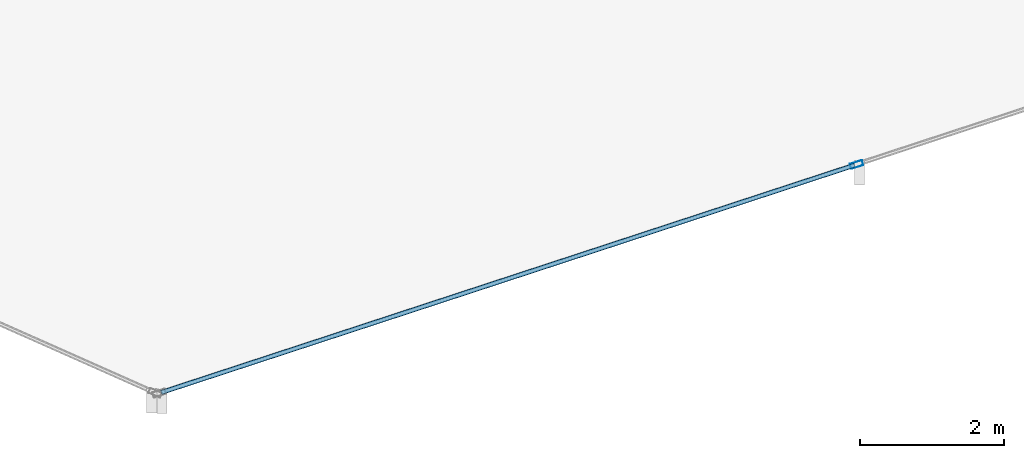
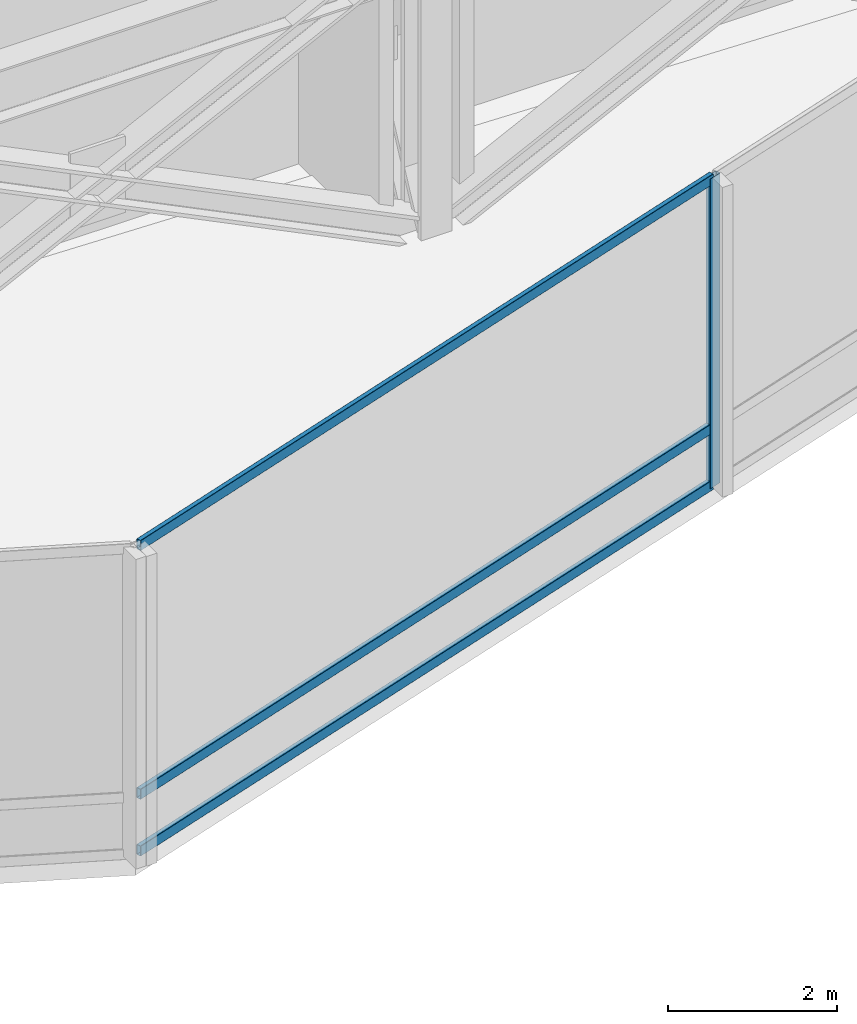
# One storey, part 10 of 42: 4 members, 1 element without a shape of its own.
"""IFC4 building model written with IfcOpenShell, lengths in metres."""

from ifc_helpers import new_model, si_unit, direction, frame, origin, origin_2d, place, context, subcontext, project, spatial, hollow_rectangle, extrude, material, layer, layer_set, material_profile, profile_set, type_object, element, aggregate, save


model = new_model("IFC4")

# Units and contexts
model_context = context("Model", 3, precision=1e-05, world=origin(), true_north=direction((0.0, 1.0)))
body_context = subcontext(model_context, "Body", "Model", "MODEL_VIEW")
ifc_project = project(units=[si_unit("LENGTHUNIT", "METRE"), si_unit("AREAUNIT", "SQUARE_METRE"), si_unit("VOLUMEUNIT", "CUBIC_METRE"), si_unit("PLANEANGLEUNIT", "RADIAN"), si_unit("MASSUNIT", "GRAM", prefix="KILO")], contexts=[model_context])

# Site, building, storey
site_placement = place(None, origin())
site = spatial("IfcSite", under=ifc_project, at=site_placement, CompositionType="ELEMENT")
building_placement = place(site_placement, origin())
building = spatial("IfcBuilding", under=site, at=building_placement, Name="Solvaryn Broadcast Tower", CompositionType="ELEMENT")
storey_placement = place(building_placement, frame((0.0, 0.0, 100.199951171875)))
storey = spatial("IfcBuildingStorey", under=building, at=storey_placement, Name="L24", CompositionType="ELEMENT", Elevation=100.199951171875)

# Curtain wall, members
ifc_material_1 = material(Name="Aluminium and Terracotta Unitised Curtain Wall", Category="masonry")
ifc_layer = layer(ifc_material_1, 0.199951171875)
ifc_layer_set = layer_set([ifc_layer], Name="CW-SYS2-LOWMID")
curtain_wall_type = type_object("IfcCurtainWallType", Name="CW-SYS2-LOWMID", PredefinedType="NOTDEFINED", material=ifc_layer_set)
curtain_wall_placement = place(storey_placement, origin())
curtain_wall = element("IfcCurtainWall", 1, at=curtain_wall_placement, inside=storey, type_object=curtain_wall_type, Name="L24 Curtain Wall DR4", PredefinedType="NOTDEFINED")
ifc_material_2 = material(Name="Anodised Aluminium 6063-T6", Category="aluminium")
ifc_material_profile_1 = material_profile(ifc_material_2, hollow_rectangle(XDim=0.074951171875, YDim=0.179931640625, WallThickness=0.00390625, InnerFilletRadius=0.00390625, OuterFilletRadius=0.008056640625, at=origin_2d()))
ifc_profile_set_1 = profile_set([ifc_material_profile_1], Name="Anodised Aluminium 6063-T6")
member_type_1 = type_object("IfcMemberType", Name="CW-MUL-180", PredefinedType="MULLION", material=ifc_profile_set_1)
member_1_placement = place(storey_placement, frame((36.2880859375, 2.72607421875, 0.0), z_axis=(0.0, 0.0, 1.0), x_axis=(-0.311594044587, 0.950215318429, 0.0)))
member_1 = element("IfcMember", 2, at=member_1_placement, type_object=member_type_1, Name="CWS2 mullion 2", PredefinedType="MULLION", context=body_context, shape_type="SweptSolid", body=[
    extrude(hollow_rectangle(XDim=0.074951171875, YDim=0.179931640625, WallThickness=0.00390625, InnerFilletRadius=0.00390625, OuterFilletRadius=0.008056640625, at=origin_2d()), origin(), (0.0, 0.0, 1.0), 4.469970703125),
])
ifc_material_3 = material(Name="Anodised Aluminium 6063-T6", Category="aluminium")
ifc_material_profile_2 = material_profile(ifc_material_3, hollow_rectangle(XDim=0.06494140625, YDim=0.14990234375, WallThickness=0.00390625, InnerFilletRadius=0.00390625, OuterFilletRadius=0.008056640625, at=origin_2d()))
ifc_profile_set_2 = profile_set([ifc_material_profile_2], Name="Anodised Aluminium 6063-T6")
member_type_2 = type_object("IfcMemberType", Name="CW-TRN-150", PredefinedType="USERDEFINED", material=ifc_profile_set_2)
member_2_placement = place(storey_placement, frame((26.616943359375, -0.4453125, 0.030029296875), z_axis=(0.950218915167, 0.311583076016, 0.0), x_axis=(-0.311583076016, 0.950218915167, 0.0)))
member_2 = element("IfcMember", 3, at=member_2_placement, type_object=member_type_2, Name="CWS2 transom 1.1", ObjectType="TRANSOM", PredefinedType="USERDEFINED", context=body_context, shape_type="SweptSolid", body=[
    extrude(hollow_rectangle(XDim=0.06494140625, YDim=0.14990234375, WallThickness=0.00390625, InnerFilletRadius=0.00390625, OuterFilletRadius=0.008056640625, at=origin_2d()), origin(), (0.0, 0.0, 1.0), 10.147705078125),
])
member_3_placement = place(storey_placement, frame((26.616943359375, -0.4453125, 0.85009765625), z_axis=(0.950218915167, 0.311583076016, 0.0), x_axis=(-0.311583076016, 0.950218915167, 0.0)))
member_3 = element("IfcMember", 4, at=member_3_placement, type_object=member_type_2, Name="CWS2 transom 1.2", ObjectType="TRANSOM", PredefinedType="USERDEFINED", context=body_context, shape_type="SweptSolid", body=[
    extrude(hollow_rectangle(XDim=0.06494140625, YDim=0.14990234375, WallThickness=0.00390625, InnerFilletRadius=0.00390625, OuterFilletRadius=0.008056640625, at=origin_2d()), origin(), (0.0, 0.0, 1.0), 10.147705078125),
])
member_4_placement = place(storey_placement, frame((26.616943359375, -0.4453125, 4.43994140625), z_axis=(0.950218915167, 0.311583076016, 0.0), x_axis=(-0.311583076016, 0.950218915167, 0.0)))
member_4 = element("IfcMember", 5, at=member_4_placement, type_object=member_type_2, Name="CWS2 transom 1.3", ObjectType="TRANSOM", PredefinedType="USERDEFINED", context=body_context, shape_type="SweptSolid", body=[
    extrude(hollow_rectangle(XDim=0.06494140625, YDim=0.14990234375, WallThickness=0.00390625, InnerFilletRadius=0.00390625, OuterFilletRadius=0.008056640625, at=origin_2d()), origin(), (0.0, 0.0, 1.0), 10.147705078125),
])
aggregate(curtain_wall, [member_1, member_2, member_3, member_4])

save(model, "model.ifc")
